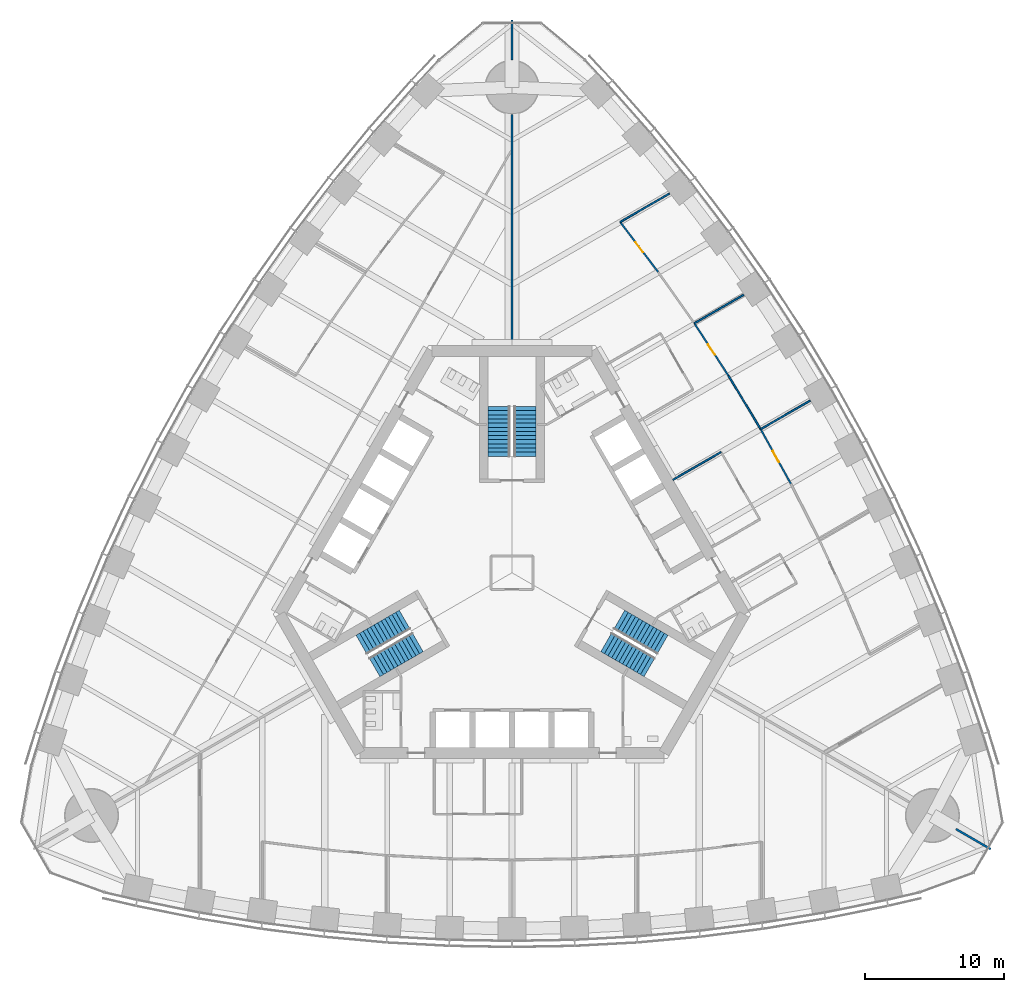
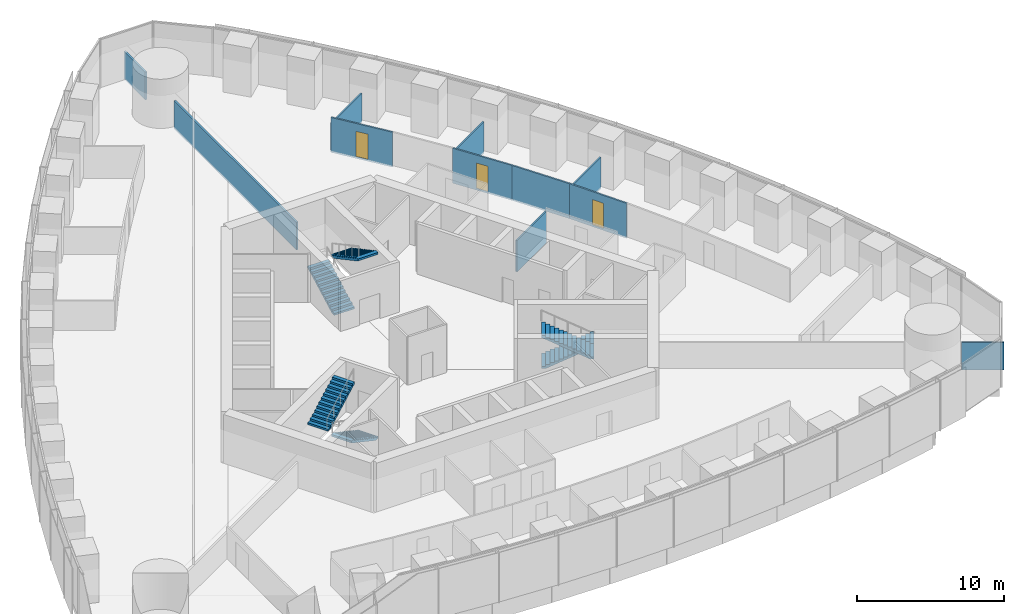
# One storey, part 13 of 18: 11 walls, 6 stair flights, 3 doors, 3 openings, 3 elements without a shape of their own.
"""IFC4 building model written with IfcOpenShell, lengths in metres."""

from ifc_helpers import new_model, si_unit, direction, frame, frame_2d, origin, place, context, subcontext, project, spatial, polyline, rectangle, outline, extrude, material, layer, layer_set, type_object, element, fill, aggregate, save


model = new_model("IFC4")

# Units and contexts
model_context = context("Model", 3, precision=1e-05, world=origin(), true_north=direction((0.0, 1.0)))
body_context = subcontext(model_context, "Body", "Model", "MODEL_VIEW")
ifc_project = project(units=[si_unit("LENGTHUNIT", "METRE"), si_unit("AREAUNIT", "SQUARE_METRE"), si_unit("VOLUMEUNIT", "CUBIC_METRE"), si_unit("PLANEANGLEUNIT", "RADIAN"), si_unit("MASSUNIT", "GRAM", prefix="KILO")], contexts=[model_context])

# Site, building, storey
site_placement = place(None, origin())
site = spatial("IfcSite", under=ifc_project, at=site_placement, CompositionType="ELEMENT")
building_placement = place(site_placement, origin())
building = spatial("IfcBuilding", under=site, at=building_placement, Name="Trefoil Bronze Tower", CompositionType="ELEMENT")
storey_placement = place(building_placement, frame((0.0, 0.0, 170.300048828125)))
storey = spatial("IfcBuildingStorey", under=building, at=storey_placement, Name="L39", CompositionType="ELEMENT", Elevation=170.300048828125)

# Walls
ifc_material_1 = material(Name="Glazed partition", Category="glass")
ifc_layer_1 = layer(ifc_material_1, 0.1201171875)
ifc_layer_set_1 = layer_set([ifc_layer_1], Name="Glazed partition 120")
wall_type_1 = type_object("IfcWallType", Name="Glazed partition 120", PredefinedType="PARTITIONING", material=ifc_layer_set_1)
wall_1_placement = place(storey_placement, frame((11.604736328125, 6.699951171875, 0.0), z_axis=(0.0, 0.0, 1.0), x_axis=(0.866026010844, 0.49999894854, 0.0)))
element("IfcWall", 1, at=wall_1_placement, inside=storey, type_object=wall_type_1, Name="Partition F2 L39", PredefinedType="PARTITIONING", context=body_context, shape_type="SweptSolid", body=[
    extrude(rectangle(XDim=4.0, YDim=0.1201171875, at=frame_2d((2.0, 0.0))), origin(), (0.0, 0.0, 1.0), 2.599853515625),
])
wall_2_placement = place(storey_placement, frame((17.926513671875, 10.349853515625, 0.0), z_axis=(0.0, 0.0, 1.0), x_axis=(-0.515548366618, 0.856860479703, 0.0)))
element("IfcWall", 2, at=wall_2_placement, inside=storey, type_object=wall_type_1, Name="Partition F2 L39", PredefinedType="PARTITIONING", context=body_context, shape_type="SweptSolid", body=[
    extrude(rectangle(XDim=4.500732421875, YDim=0.1201171875, at=frame_2d((2.25048828125, 0.0))), origin(), (0.0, 0.0, 1.0), 2.89990234375),
])

# Wall, opening, door
wall_3_placement = place(storey_placement, frame((10.542724609375, 21.67529296875, 0.0), z_axis=(0.0, 0.0, 1.0), x_axis=(-0.605274299339, 0.796016973789, 0.0)))
wall_3 = element("IfcWall", 3, at=wall_3_placement, inside=storey, type_object=wall_type_1, Name="Partition F2 L39", PredefinedType="PARTITIONING", context=body_context, shape_type="SweptSolid", body=[
    extrude(rectangle(XDim=4.5361328125, YDim=0.1201171875, at=frame_2d((2.26806640625, 0.0))), origin(), (0.0, 0.0, 1.0), 2.89990234375),
])
opening_1_placement = place(wall_3_placement, frame((1.800048828125, 0.0, 0.14990234375)))
opening_1 = element("IfcOpeningElement", 4, at=opening_1_placement, cuts=wall_3, Name="Opening D8", PredefinedType="OPENING", context=body_context, shape_type="SweptSolid", body=[
    extrude(rectangle(XDim=0.89990234375, YDim=2.10009765625, at=frame_2d((0.449951171875, 1.050048828125))), frame((0.0, 0.070068359375, 0.0), z_axis=(0.0, -1.0, 0.0), x_axis=(1.0, 0.0, 0.0)), (0.0, 0.0, 1.0), 0.14013671875),
])
ifc_material_2 = material(Name="Timber door", Category="wood")
door_type = type_object("IfcDoorType", Name="Office door 900", OperationType="SINGLE_SWING_LEFT", PredefinedType="DOOR", material=ifc_material_2)
door_1_placement = place(opening_1_placement, frame((0.89990234375, 0.0, 0.0), z_axis=(0.0, 0.0, 1.0), x_axis=(-1.0, 0.0, 0.0)))
door_1 = element("IfcDoor", 5, at=door_1_placement, inside=storey, type_object=door_type, Name="Executive office door F2 L39", OperationType="SINGLE_SWING_RIGHT", OverallHeight=2.10009765625, OverallWidth=0.89990234375, PredefinedType="DOOR", context=body_context, shape_type="SweptSolid", body=[
    extrude(rectangle(XDim=0.89990234375, YDim=2.10009765625, at=frame_2d((0.449951171875, 1.050048828125))), frame((0.0, 0.02490234375, 0.0), z_axis=(0.0, -1.0, 0.0), x_axis=(1.0, 0.0, 0.0)), (0.0, 0.0, 1.0), 0.050048828125),
])
fill(opening_1, door_1)

wall_4_placement = place(storey_placement, frame((15.606201171875, 14.206298828125, 0.0), z_axis=(0.0, 0.0, 1.0), x_axis=(-0.546069464151, 0.837739900161, 0.0)))
wall_4 = element("IfcWall", 6, at=wall_4_placement, inside=storey, type_object=wall_type_1, Name="Partition F2 L39", PredefinedType="PARTITIONING", context=body_context, shape_type="SweptSolid", body=[
    extrude(rectangle(XDim=4.506591796875, YDim=0.1201171875, at=frame_2d((2.25341796875, 0.0))), origin(), (0.0, 0.0, 1.0), 2.89990234375),
])
opening_2_placement = place(wall_4_placement, frame((1.800048828125, 0.0, 0.14990234375)))
opening_2 = element("IfcOpeningElement", 7, at=opening_2_placement, cuts=wall_4, Name="Opening D8", PredefinedType="OPENING", context=body_context, shape_type="SweptSolid", body=[
    extrude(rectangle(XDim=0.89990234375, YDim=2.10009765625, at=frame_2d((0.449951171875, 1.050048828125))), frame((0.0, 0.070068359375, 0.0), z_axis=(0.0, -1.0, 0.0), x_axis=(1.0, 0.0, 0.0)), (0.0, 0.0, 1.0), 0.14013671875),
])
door_2_placement = place(opening_2_placement, frame((0.89990234375, 0.0, 0.0), z_axis=(0.0, 0.0, 1.0), x_axis=(-1.0, 0.0, 0.0)))
door_2 = element("IfcDoor", 8, at=door_2_placement, inside=storey, type_object=door_type, Name="Executive office door F2 L39", OperationType="SINGLE_SWING_RIGHT", OverallHeight=2.10009765625, OverallWidth=0.89990234375, PredefinedType="DOOR", context=body_context, shape_type="SweptSolid", body=[
    extrude(rectangle(XDim=0.89990234375, YDim=2.10009765625, at=frame_2d((0.449951171875, 1.050048828125))), frame((0.0, 0.02490234375, 0.0), z_axis=(0.0, -1.0, 0.0), x_axis=(1.0, 0.0, 0.0)), (0.0, 0.0, 1.0), 0.050048828125),
])
fill(opening_2, door_2)

wall_5_placement = place(storey_placement, frame((20.106201171875, 6.412109375, 0.0), z_axis=(0.0, 0.0, 1.0), x_axis=(-0.484292898211, 0.874905931368, 0.0)))
wall_5 = element("IfcWall", 9, at=wall_5_placement, inside=storey, type_object=wall_type_1, Name="Partition F2 L39", PredefinedType="PARTITIONING", context=body_context, shape_type="SweptSolid", body=[
    extrude(rectangle(XDim=4.500732421875, YDim=0.1201171875, at=frame_2d((2.25048828125, 0.0))), origin(), (0.0, 0.0, 1.0), 2.89990234375),
])
opening_3_placement = place(wall_5_placement, frame((1.800048828125, 0.0, 0.14990234375)))
opening_3 = element("IfcOpeningElement", 10, at=opening_3_placement, cuts=wall_5, Name="Opening D8", PredefinedType="OPENING", context=body_context, shape_type="SweptSolid", body=[
    extrude(rectangle(XDim=0.89990234375, YDim=2.10009765625, at=frame_2d((0.449951171875, 1.050048828125))), frame((0.0, 0.070068359375, 0.0), z_axis=(0.0, -1.0, 0.0), x_axis=(1.0, 0.0, 0.0)), (0.0, 0.0, 1.0), 0.14013671875),
])
door_3_placement = place(opening_3_placement, frame((0.89990234375, 0.0, 0.0), z_axis=(0.0, 0.0, 1.0), x_axis=(-1.0, 0.0, 0.0)))
door_3 = element("IfcDoor", 11, at=door_3_placement, inside=storey, type_object=door_type, Name="Executive office door F2 L39", OperationType="SINGLE_SWING_RIGHT", OverallHeight=2.10009765625, OverallWidth=0.89990234375, PredefinedType="DOOR", context=body_context, shape_type="SweptSolid", body=[
    extrude(rectangle(XDim=0.89990234375, YDim=2.10009765625, at=frame_2d((0.449951171875, 1.050048828125))), frame((0.0, 0.02490234375, 0.0), z_axis=(0.0, -1.0, 0.0), x_axis=(1.0, 0.0, 0.0)), (0.0, 0.0, 1.0), 0.050048828125),
])
fill(opening_3, door_3)

# Walls
wall_6_placement = place(storey_placement, frame((17.926513671875, 10.349853515625, 0.0), z_axis=(0.0, 0.0, 1.0), x_axis=(0.866009926209, 0.50002680699, 0.0)))
element("IfcWall", 12, at=wall_6_placement, inside=storey, type_object=wall_type_1, Name="Partition F2 L39", PredefinedType="PARTITIONING", context=body_context, shape_type="SweptSolid", body=[
    extrude(rectangle(XDim=4.119873046875, YDim=0.1201171875, at=frame_2d((2.06005859375, 0.0))), origin(), (0.0, 0.0, 1.0), 2.599853515625),
])
wall_7_placement = place(storey_placement, frame((7.797119140625, 25.2861328125, 0.0), z_axis=(0.0, 0.0, 1.0), x_axis=(0.866019112135, 0.500010897298, 0.0)))
element("IfcWall", 13, at=wall_7_placement, inside=storey, type_object=wall_type_1, Name="Partition F2 L39", PredefinedType="PARTITIONING", context=body_context, shape_type="SweptSolid", body=[
    extrude(rectangle(XDim=4.10302734375, YDim=0.1201171875, at=frame_2d((2.051513671875, 0.0))), origin(), (0.0, 0.0, 1.0), 2.39990234375),
])
wall_8_placement = place(storey_placement, frame((13.145263671875, 17.981689453125, 0.0), z_axis=(0.0, 0.0, 1.0), x_axis=(0.866018637367, 0.500011719595, 0.0)))
element("IfcWall", 14, at=wall_8_placement, inside=storey, type_object=wall_type_1, Name="Partition F2 L39", PredefinedType="PARTITIONING", context=body_context, shape_type="SweptSolid", body=[
    extrude(rectangle(XDim=4.11572265625, YDim=0.1201171875, at=frame_2d((2.057861328125, 0.0))), origin(), (0.0, 0.0, 1.0), 2.599853515625),
])
ifc_material_3 = material(Name="Gypsum board on steel studs", Category="steel")
ifc_layer_2 = layer(ifc_material_3, 0.14990234375)
ifc_layer_set_2 = layer_set([ifc_layer_2], Name="Party wall 150")
wall_type_2 = type_object("IfcWallType", Name="Party wall 150", PredefinedType="PARTITIONING", material=ifc_layer_set_2)
wall_9_placement = place(storey_placement, frame((31.999755859375, -18.47509765625, 0.0), z_axis=(0.0, 0.0, 1.0), x_axis=(0.866042548026, -0.499970304126, 0.0)))
element("IfcWall", 15, at=wall_9_placement, inside=storey, type_object=wall_type_2, Name="Party wall K1 L39", PredefinedType="PARTITIONING", context=body_context, shape_type="SweptSolid", body=[
    extrude(rectangle(XDim=2.899169921875, YDim=0.14990234375, at=frame_2d((1.44970703125, 0.0))), origin(), (0.0, 0.0, 1.0), 2.300048828125),
])
wall_10_placement = place(storey_placement, frame((0.0, 16.39990234375, 0.0), z_axis=(0.0, 0.0, 1.0), x_axis=(0.0, 1.0, 0.0)))
element("IfcWall", 16, at=wall_10_placement, inside=storey, type_object=wall_type_2, Name="Party wall K2 L39", PredefinedType="PARTITIONING", context=body_context, shape_type="SweptSolid", body=[
    extrude(rectangle(XDim=16.650146484375, YDim=0.14990234375, at=frame_2d((8.3251953125, 0.0))), origin(), (0.0, 0.0, 1.0), 2.300048828125),
])
wall_11_placement = place(storey_placement, frame((0.0, 36.949951171875, 0.0), z_axis=(0.0, 0.0, 1.0), x_axis=(0.0, 1.0, 0.0)))
element("IfcWall", 17, at=wall_11_placement, inside=storey, type_object=wall_type_2, Name="Party wall K2 L39", PredefinedType="PARTITIONING", context=body_context, shape_type="SweptSolid", body=[
    extrude(rectangle(XDim=2.8994140625, YDim=0.14990234375, at=frame_2d((1.44970703125, 0.0))), origin(), (0.0, 0.0, 1.0), 2.300048828125),
])

# Stair, stair flights
ifc_material_4 = material(Name="Precast concrete B80", Category="concrete")
stair_type = type_object("IfcStairType", Name="Exit stair 26 risers", PredefinedType="HALF_TURN_STAIR", material=ifc_material_4)
stair_1_placement = place(storey_placement, origin())
stair_1 = element("IfcStair", 18, at=stair_1_placement, inside=storey, type_object=stair_type, Name="Stair ST1 L39", PredefinedType="HALF_TURN_STAIR")
ifc_material_5 = material(Name="Precast concrete B80", Category="concrete")
stair_flight_type = type_object("IfcStairFlightType", Name="Stair flight 1600", PredefinedType="STRAIGHT", material=ifc_material_5)
stair_flight_1_placement = place(storey_placement, frame((7.728515625, -3.39404296875, 0.0), z_axis=(0.0, 0.0, 1.0), x_axis=(0.866025403784, -0.5, 0.0)))
stair_flight_1 = element("IfcStairFlight", 19, at=stair_flight_1_placement, type_object=stair_flight_type, Name="ST1 flight 1", NumberOfRisers=13, NumberOfTreads=12, PredefinedType="STRAIGHT", RiserHeight=0.161538462, TreadLength=0.3, context=body_context, shape_type="SweptSolid", body=[
    extrude(outline(polyline([(0.0, 0.0), (0.0, 0.16162109375), (0.300048828125, 0.16162109375), (0.300048828125, 0.322998046875), (0.60009765625, 0.322998046875), (0.60009765625, 0.484619140625), (0.89990234375, 0.484619140625), (0.89990234375, 0.646240234375), (1.199951171875, 0.646240234375), (1.199951171875, 0.8076171875), (1.5, 0.8076171875), (1.5, 0.96923828125), (1.800048828125, 0.96923828125), (1.800048828125, 1.130859375), (2.10009765625, 1.130859375), (2.10009765625, 1.292236328125), (2.39990234375, 1.292236328125), (2.39990234375, 1.453857421875), (2.699951171875, 1.453857421875), (2.699951171875, 1.615478515625), (3.0, 1.615478515625), (3.0, 1.77685546875), (3.300048828125, 1.77685546875), (3.300048828125, 1.9384765625), (3.60009765625, 1.9384765625), (3.60009765625, 2.10009765625), (3.60009765625, 1.768310546875), (0.316162109375, 0.0), (0.0, 0.0)])), frame((0.0, 0.800048828125, 0.0), z_axis=(0.0, -1.0, 0.0), x_axis=(1.0, 0.0, 0.0)), (0.0, 0.0, 1.0), 1.60009765625),
])
stair_flight_2_placement = place(storey_placement, frame((9.921142578125, -6.796142578125, 2.099853515625), z_axis=(0.0, 0.0, 1.0), x_axis=(-0.866025403784, 0.5, 0.0)))
stair_flight_2 = element("IfcStairFlight", 20, at=stair_flight_2_placement, type_object=stair_flight_type, Name="ST1 flight 2", NumberOfRisers=13, NumberOfTreads=12, PredefinedType="STRAIGHT", RiserHeight=0.161538462, TreadLength=0.3, context=body_context, shape_type="SweptSolid", body=[
    extrude(outline(polyline([(0.0, 0.0), (0.0, 0.16162109375), (0.300048828125, 0.16162109375), (0.300048828125, 0.322998046875), (0.60009765625, 0.322998046875), (0.60009765625, 0.484619140625), (0.89990234375, 0.484619140625), (0.89990234375, 0.646240234375), (1.199951171875, 0.646240234375), (1.199951171875, 0.8076171875), (1.5, 0.8076171875), (1.5, 0.96923828125), (1.800048828125, 0.96923828125), (1.800048828125, 1.130859375), (2.10009765625, 1.130859375), (2.10009765625, 1.292236328125), (2.39990234375, 1.292236328125), (2.39990234375, 1.453857421875), (2.699951171875, 1.453857421875), (2.699951171875, 1.615478515625), (3.0, 1.615478515625), (3.0, 1.77685546875), (3.300048828125, 1.77685546875), (3.300048828125, 1.9384765625), (3.60009765625, 1.9384765625), (3.60009765625, 2.10009765625), (3.60009765625, 1.768310546875), (0.316162109375, 0.0), (0.0, 0.0)])), frame((0.0, 0.800048828125, 0.0), z_axis=(0.0, -1.0, 0.0), x_axis=(1.0, 0.0, 0.0)), (0.0, 0.0, 1.0), 1.60009765625),
])
aggregate(stair_1, [stair_flight_1, stair_flight_2])

stair_2_placement = place(storey_placement, origin())
stair_2 = element("IfcStair", 21, at=stair_2_placement, inside=storey, type_object=stair_type, Name="Stair ST2 L39", PredefinedType="HALF_TURN_STAIR")
stair_flight_3_placement = place(storey_placement, frame((-0.925048828125, 8.389892578125, 0.0), z_axis=(0.0, 0.0, 1.0), x_axis=(0.0, 1.0, 0.0)))
stair_flight_3 = element("IfcStairFlight", 22, at=stair_flight_3_placement, type_object=stair_flight_type, Name="ST2 flight 1", NumberOfRisers=13, NumberOfTreads=12, PredefinedType="STRAIGHT", RiserHeight=0.161538462, TreadLength=0.3, context=body_context, shape_type="SweptSolid", body=[
    extrude(outline(polyline([(0.0, 0.0), (0.0, 0.16162109375), (0.300048828125, 0.16162109375), (0.300048828125, 0.322998046875), (0.60009765625, 0.322998046875), (0.60009765625, 0.484619140625), (0.89990234375, 0.484619140625), (0.89990234375, 0.646240234375), (1.199951171875, 0.646240234375), (1.199951171875, 0.8076171875), (1.5, 0.8076171875), (1.5, 0.96923828125), (1.800048828125, 0.96923828125), (1.800048828125, 1.130859375), (2.10009765625, 1.130859375), (2.10009765625, 1.292236328125), (2.39990234375, 1.292236328125), (2.39990234375, 1.453857421875), (2.699951171875, 1.453857421875), (2.699951171875, 1.615478515625), (3.0, 1.615478515625), (3.0, 1.77685546875), (3.300048828125, 1.77685546875), (3.300048828125, 1.9384765625), (3.60009765625, 1.9384765625), (3.60009765625, 2.10009765625), (3.60009765625, 1.768310546875), (0.316162109375, 0.0), (0.0, 0.0)])), frame((0.0, 0.800048828125, 0.0), z_axis=(0.0, -1.0, 0.0), x_axis=(1.0, 0.0, 0.0)), (0.0, 0.0, 1.0), 1.60009765625),
])
stair_flight_4_placement = place(storey_placement, frame((0.925048828125, 11.989990234375, 2.099853515625), z_axis=(0.0, 0.0, 1.0), x_axis=(0.0, -1.0, 0.0)))
stair_flight_4 = element("IfcStairFlight", 23, at=stair_flight_4_placement, type_object=stair_flight_type, Name="ST2 flight 2", NumberOfRisers=13, NumberOfTreads=12, PredefinedType="STRAIGHT", RiserHeight=0.161538462, TreadLength=0.3, context=body_context, shape_type="SweptSolid", body=[
    extrude(outline(polyline([(0.0, 0.0), (0.0, 0.16162109375), (0.300048828125, 0.16162109375), (0.300048828125, 0.322998046875), (0.60009765625, 0.322998046875), (0.60009765625, 0.484619140625), (0.89990234375, 0.484619140625), (0.89990234375, 0.646240234375), (1.199951171875, 0.646240234375), (1.199951171875, 0.8076171875), (1.5, 0.8076171875), (1.5, 0.96923828125), (1.800048828125, 0.96923828125), (1.800048828125, 1.130859375), (2.10009765625, 1.130859375), (2.10009765625, 1.292236328125), (2.39990234375, 1.292236328125), (2.39990234375, 1.453857421875), (2.699951171875, 1.453857421875), (2.699951171875, 1.615478515625), (3.0, 1.615478515625), (3.0, 1.77685546875), (3.300048828125, 1.77685546875), (3.300048828125, 1.9384765625), (3.60009765625, 1.9384765625), (3.60009765625, 2.10009765625), (3.60009765625, 1.768310546875), (0.316162109375, 0.0), (0.0, 0.0)])), frame((0.0, 0.800048828125, 0.0), z_axis=(0.0, -1.0, 0.0), x_axis=(1.0, 0.0, 0.0)), (0.0, 0.0, 1.0), 1.60009765625),
])
aggregate(stair_2, [stair_flight_3, stair_flight_4])

stair_3_placement = place(storey_placement, origin())
stair_3 = element("IfcStair", 24, at=stair_3_placement, inside=storey, type_object=stair_type, Name="Stair ST3 L39", PredefinedType="HALF_TURN_STAIR")
stair_flight_5_placement = place(storey_placement, frame((-6.803466796875, -4.99609375, 0.0), z_axis=(0.0, 0.0, 1.0), x_axis=(-0.866025403784, -0.5, 0.0)))
stair_flight_5 = element("IfcStairFlight", 25, at=stair_flight_5_placement, type_object=stair_flight_type, Name="ST3 flight 1", NumberOfRisers=13, NumberOfTreads=12, PredefinedType="STRAIGHT", RiserHeight=0.161538462, TreadLength=0.3, context=body_context, shape_type="SweptSolid", body=[
    extrude(outline(polyline([(0.0, 0.0), (0.0, 0.16162109375), (0.300048828125, 0.16162109375), (0.300048828125, 0.322998046875), (0.60009765625, 0.322998046875), (0.60009765625, 0.484619140625), (0.89990234375, 0.484619140625), (0.89990234375, 0.646240234375), (1.199951171875, 0.646240234375), (1.199951171875, 0.8076171875), (1.5, 0.8076171875), (1.5, 0.96923828125), (1.800048828125, 0.96923828125), (1.800048828125, 1.130859375), (2.10009765625, 1.130859375), (2.10009765625, 1.292236328125), (2.39990234375, 1.292236328125), (2.39990234375, 1.453857421875), (2.699951171875, 1.453857421875), (2.699951171875, 1.615478515625), (3.0, 1.615478515625), (3.0, 1.77685546875), (3.300048828125, 1.77685546875), (3.300048828125, 1.9384765625), (3.60009765625, 1.9384765625), (3.60009765625, 2.10009765625), (3.60009765625, 1.768310546875), (0.316162109375, 0.0), (0.0, 0.0)])), frame((0.0, 0.800048828125, 0.0), z_axis=(0.0, -1.0, 0.0), x_axis=(1.0, 0.0, 0.0)), (0.0, 0.0, 1.0), 1.60009765625),
])
stair_flight_6_placement = place(storey_placement, frame((-10.84619140625, -5.19384765625, 2.099853515625), z_axis=(0.0, 0.0, 1.0), x_axis=(0.866025403784, 0.5, 0.0)))
stair_flight_6 = element("IfcStairFlight", 26, at=stair_flight_6_placement, type_object=stair_flight_type, Name="ST3 flight 2", NumberOfRisers=13, NumberOfTreads=12, PredefinedType="STRAIGHT", RiserHeight=0.161538462, TreadLength=0.3, context=body_context, shape_type="SweptSolid", body=[
    extrude(outline(polyline([(0.0, 0.0), (0.0, 0.16162109375), (0.300048828125, 0.16162109375), (0.300048828125, 0.322998046875), (0.60009765625, 0.322998046875), (0.60009765625, 0.484619140625), (0.89990234375, 0.484619140625), (0.89990234375, 0.646240234375), (1.199951171875, 0.646240234375), (1.199951171875, 0.8076171875), (1.5, 0.8076171875), (1.5, 0.96923828125), (1.800048828125, 0.96923828125), (1.800048828125, 1.130859375), (2.10009765625, 1.130859375), (2.10009765625, 1.292236328125), (2.39990234375, 1.292236328125), (2.39990234375, 1.453857421875), (2.699951171875, 1.453857421875), (2.699951171875, 1.615478515625), (3.0, 1.615478515625), (3.0, 1.77685546875), (3.300048828125, 1.77685546875), (3.300048828125, 1.9384765625), (3.60009765625, 1.9384765625), (3.60009765625, 2.10009765625), (3.60009765625, 1.768310546875), (0.316162109375, 0.0), (0.0, 0.0)])), frame((0.0, 0.800048828125, 0.0), z_axis=(0.0, -1.0, 0.0), x_axis=(1.0, 0.0, 0.0)), (0.0, 0.0, 1.0), 1.60009765625),
])
aggregate(stair_3, [stair_flight_5, stair_flight_6])

save(model, "model.ifc")
